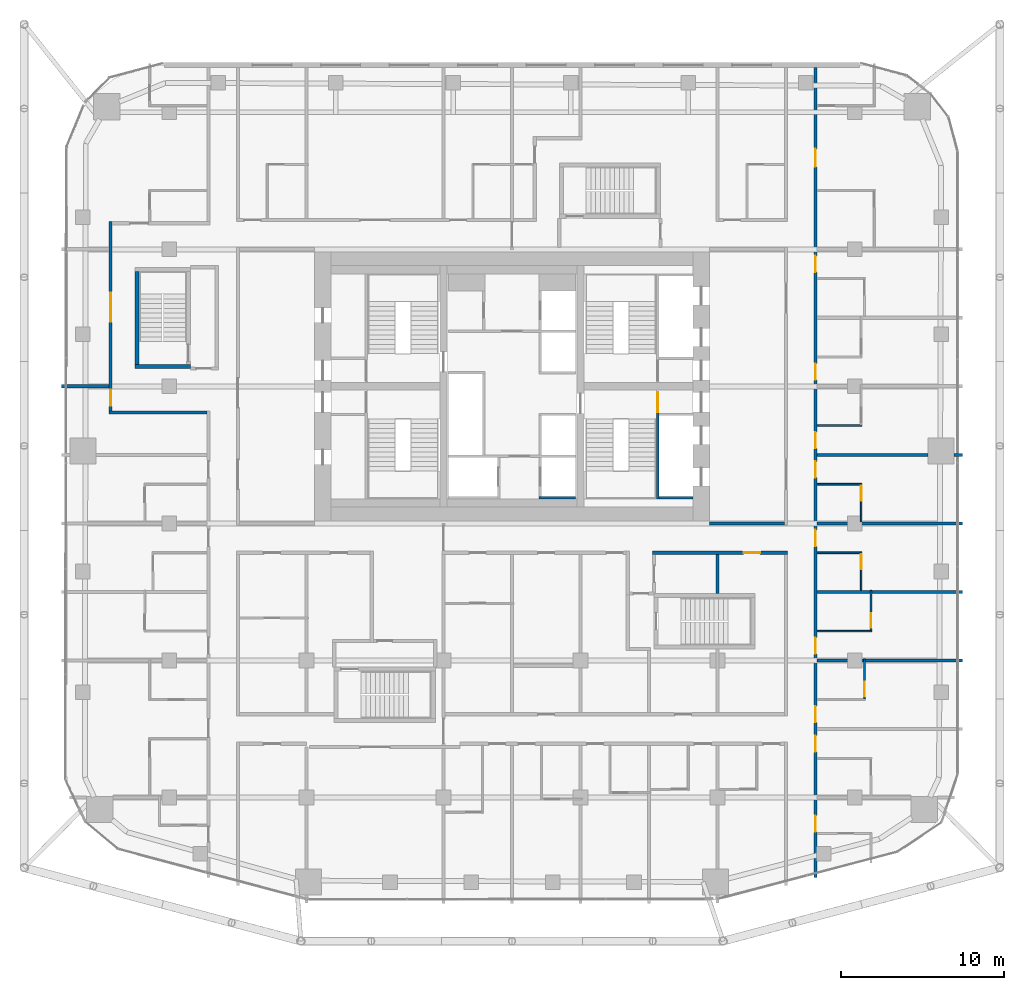
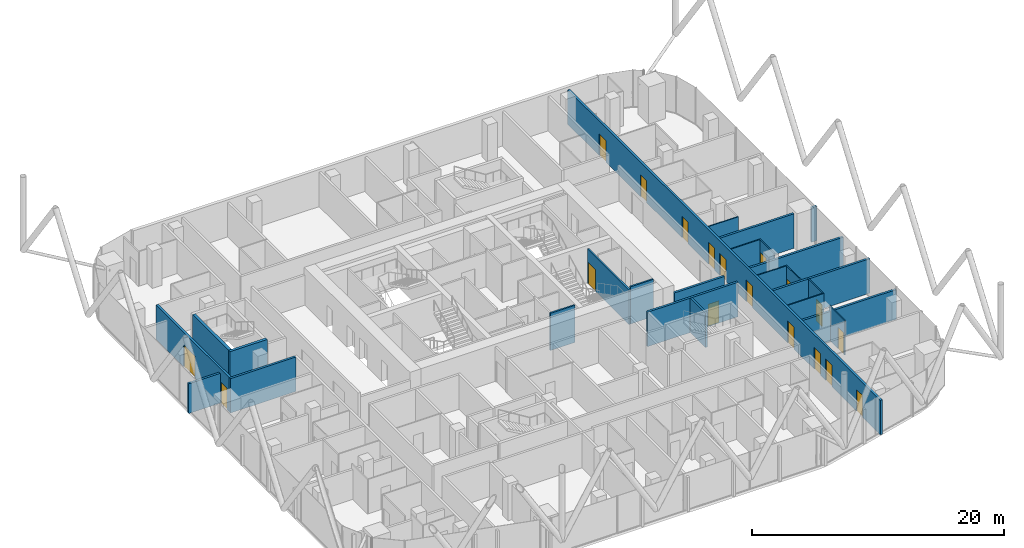
# One storey, part 27 of 33: 25 walls, 18 doors, 18 openings.
"""IFC4 building model written with IfcOpenShell, lengths in metres."""

import ifcopenshell
import ifcopenshell.guid

model = None  # the IFC model being written
_history = None  # IfcOwnerHistory: only IFC2X3 demands one
_inside = {}  # id of a spatial element -> (the spatial element, [elements in it])
_under = {}  # id of a project, library or spatial element -> (it, [spatial elements below it])
_declared = {}  # id of a project -> (the project, [libraries it declares])
_typed = {}  # id of a type object -> (the type object, [elements of that type])
_made_of = {}  # id of a material, layer set ... -> (it, [elements and type objects made of it])


def new_model(schema):
    """Start an empty IFC model of exactly this schema.

    Asked for "IFC4X3", IfcOpenShell would pick the latest addendum, in which some entities
    have other attributes; the version numbers below select the first issue.
    IFC2X3 requires an IfcOwnerHistory on every rooted entity: one is made here for all.
    """
    global model, _history
    if schema == "IFC4X3":
        model = ifcopenshell.file(schema_version=(4, 3, 0, 0))
    else:
        model = ifcopenshell.file(schema=schema)
    _inside.clear()
    _under.clear()
    _declared.clear()
    _typed.clear()
    _made_of.clear()
    _history = None
    if model.schema == "IFC2X3":
        org = make("IfcOrganization", Name="unknown")
        user = make(
            "IfcPersonAndOrganization",
            ThePerson=make("IfcPerson", FamilyName="unknown"),
            TheOrganization=org,
        )
        app = make(
            "IfcApplication",
            ApplicationDeveloper=org,
            Version="unknown",
            ApplicationFullName="unknown",
            ApplicationIdentifier="unknown",
        )
        _history = make(
            "IfcOwnerHistory",
            OwningUser=user,
            OwningApplication=app,
            ChangeAction="ADDED",
            CreationDate=0,
        )
    return model


def make(cls, **values):
    """One entity of the class cls with the attributes given. An attribute that is None is left unset."""
    return model.create_entity(
        cls, **{name: value for name, value in values.items() if value is not None}
    )


def rooted(cls, **values):
    """An entity with a GlobalId (a new one), such as an element, a storey or a relation."""
    return make(cls, GlobalId=ifcopenshell.guid.new(), OwnerHistory=_history, **values)


def si_unit(unit_type, name, prefix=None):
    """IfcSIUnit, for example si_unit("LENGTHUNIT", "METRE", prefix="MILLI")."""
    return make("IfcSIUnit", UnitType=unit_type, Prefix=prefix, Name=name)


def assignment(units):
    """IfcUnitAssignment: the units of a project."""
    return None if units is None else make("IfcUnitAssignment", Units=units)


def point(xyz):
    """IfcCartesianPoint."""
    return None if xyz is None else make("IfcCartesianPoint", Coordinates=xyz)


def direction(xyz):
    """IfcDirection."""
    return None if xyz is None else make("IfcDirection", DirectionRatios=xyz)


def frame(location, z_axis=None, x_axis=None):
    """IfcAxis2Placement3D, a coordinate frame: its origin and axes. An axis left out is left unset."""
    return make(
        "IfcAxis2Placement3D",
        Location=point(location),
        Axis=direction(z_axis),
        RefDirection=direction(x_axis),
    )


def frame_2d(location, x_axis=None):
    """IfcAxis2Placement2D, a coordinate frame in the plane: its origin and x axis."""
    return make(
        "IfcAxis2Placement2D", Location=point(location), RefDirection=direction(x_axis)
    )


def origin():
    """The frame at (0, 0, 0) with its axes left unset."""
    return frame((0.0, 0.0, 0.0))


def place(relative_to, where):
    """IfcLocalPlacement: puts the frame where relative to a parent placement (None: the world)."""
    return make(
        "IfcLocalPlacement", PlacementRelTo=relative_to, RelativePlacement=where
    )


def context(
    kind, dimensions, precision=None, world=None, true_north=None, identifier=None
):
    """IfcGeometricRepresentationContext, for example the 3D "Model" context."""
    return make(
        "IfcGeometricRepresentationContext",
        ContextIdentifier=identifier,
        ContextType=kind,
        CoordinateSpaceDimension=dimensions,
        Precision=precision,
        WorldCoordinateSystem=world,
        TrueNorth=true_north,
    )


def subcontext(parent, identifier, kind, view, scale=None):
    """IfcGeometricRepresentationSubContext, for example "Body" below "Model"."""
    return make(
        "IfcGeometricRepresentationSubContext",
        ContextIdentifier=identifier,
        ContextType=kind,
        ParentContext=parent,
        TargetScale=scale,
        TargetView=view,
    )


def project(units=None, contexts=None):
    """IfcProject with its units and contexts."""
    return rooted(
        "IfcProject",
        Name="project",
        RepresentationContexts=contexts,
        UnitsInContext=assignment(units),
    )


def spatial(cls, under=None, at=None, **own):
    """A site, building, storey or space (cls), placed at a placement, below another one or the project."""
    s = rooted(cls, ObjectPlacement=at, **own)
    if under is not None:
        _under.setdefault(under.id(), (under, []))[1].append(s)
    return s


def profile(cls, at=None, kind="AREA", **sizes):
    """A parametric profile (cls). Its sizes go by their IFC names, for example OverallWidth=200.0."""
    return make(cls, ProfileType=kind, Position=at, **sizes)


def rectangle(**sizes):
    """IfcRectangleProfileDef."""
    return profile("IfcRectangleProfileDef", **sizes)


def extrude(swept, where, along, depth):
    """IfcExtrudedAreaSolid: the profile swept, set in the frame where, extruded along a direction by depth."""
    return make(
        "IfcExtrudedAreaSolid",
        SweptArea=swept,
        Position=where,
        ExtrudedDirection=direction(along),
        Depth=depth,
    )


def shape(context_of_items, identifier, shape_type, items):
    """IfcShapeRepresentation: the items that make up one representation, for example the "Body"."""
    return make(
        "IfcShapeRepresentation",
        ContextOfItems=context_of_items,
        RepresentationIdentifier=identifier,
        RepresentationType=shape_type,
        Items=items,
    )


def material(Name=None, Category=None):
    """IfcMaterial."""
    return make("IfcMaterial", Name=Name, Category=Category)


def layer(
    of_material, thickness, ventilated=None, Name=None, Category=None, Priority=None
):
    """IfcMaterialLayer: one layer of a wall or slab, of a material (None: an air gap)."""
    return make(
        "IfcMaterialLayer",
        Material=of_material,
        LayerThickness=thickness,
        IsVentilated=ventilated,
        Name=Name,
        Category=Category,
        Priority=Priority,
    )


def layer_set(layers, Name=None):
    """IfcMaterialLayerSet."""
    return make("IfcMaterialLayerSet", MaterialLayers=layers, LayerSetName=Name)


def made_of(thing, what):
    """Note that an element or type object is made of a material, layer set ...; save() writes the relation."""
    if what is not None:
        _made_of.setdefault(what.id(), (what, []))[1].append(thing)
    return thing


def type_object(cls, material=None, **own):
    """A type object (cls), such as IfcWallType, which elements share."""
    return made_of(rooted(cls, **own), material)


def element(
    cls,
    number,
    at=None,
    inside=None,
    cuts=None,
    type_object=None,
    material=None,
    context=None,
    identifier="Body",
    shape_type=None,
    held_by="IfcProductDefinitionShape",
    body=None,
    shapes=None,
    **own,
):
    """One element of the class cls, such as IfcWall. Its Tag is "e" and its number.

    at: its placement. inside: the storey or other place that contains it. cuts: it is an
    opening in that element (IfcRelVoidsElement). A single representation is given by context,
    identifier, shape_type and body (its items); several are given by shapes. held_by: the class
    of the entity that holds the representations. save() writes the other relations.
    """
    e = rooted(cls, Tag="e%d" % number, ObjectPlacement=at, **own)
    if body is not None:
        shapes = [shape(context, identifier, shape_type, body)]
    if shapes is not None:
        e.Representation = make(held_by, Representations=shapes)
    if inside is not None:
        _inside.setdefault(inside.id(), (inside, []))[1].append(e)
    if cuts is not None:
        rooted(
            "IfcRelVoidsElement", RelatingBuildingElement=cuts, RelatedOpeningElement=e
        )
    if type_object is not None:
        _typed.setdefault(type_object.id(), (type_object, []))[1].append(e)
    return made_of(e, material)


def fill(opening, filler):
    """IfcRelFillsElement: the door or window that sits in an opening."""
    return rooted(
        "IfcRelFillsElement",
        RelatingOpeningElement=opening,
        RelatedBuildingElement=filler,
    )


def aggregate(whole, parts):
    """IfcRelAggregates: a whole, such as a stair, and the parts it consists of."""
    return rooted("IfcRelAggregates", RelatingObject=whole, RelatedObjects=parts)


def save(model, path):
    """Write the relations noted so far, then the file.

    IfcRelAggregates (storeys below a building ...), IfcRelContainedInSpatialStructure (elements
    in a storey), IfcRelDefinesByType, IfcRelAssociatesMaterial and IfcRelDeclares: one each for
    every whole, place, type object, material and project.
    """
    for whole, parts in _under.values():
        aggregate(whole, parts)
    for where, things in _inside.values():
        rooted(
            "IfcRelContainedInSpatialStructure",
            RelatedElements=things,
            RelatingStructure=where,
        )
    for kind, things in _typed.values():
        rooted("IfcRelDefinesByType", RelatedObjects=things, RelatingType=kind)
    for what, things in _made_of.values():
        rooted("IfcRelAssociatesMaterial", RelatedObjects=things, RelatingMaterial=what)
    for by, libraries in _declared.values():
        rooted("IfcRelDeclares", RelatingContext=by, RelatedDefinitions=libraries)
    model.write(path)


model = new_model("IFC4")

# Units and contexts
model_context = context("Model", 3, precision=1e-05, world=origin(), true_north=direction((0.0, 1.0)))
body_context = subcontext(model_context, "Body", "Model", "MODEL_VIEW")
ifc_project = project(units=[si_unit("LENGTHUNIT", "METRE"), si_unit("AREAUNIT", "SQUARE_METRE"), si_unit("VOLUMEUNIT", "CUBIC_METRE"), si_unit("PLANEANGLEUNIT", "RADIAN"), si_unit("MASSUNIT", "GRAM", prefix="KILO")], contexts=[model_context])

# Site, building, storey
site_placement = place(None, origin())
site = spatial("IfcSite", under=ifc_project, at=site_placement, CompositionType="ELEMENT")
building_placement = place(site_placement, origin())
building = spatial("IfcBuilding", under=site, at=building_placement, Name="Marenta Gate Hotel Tower", CompositionType="ELEMENT")
storey_placement = place(building_placement, frame((0.0, 0.0, 137.300048828125)))
storey = spatial("IfcBuildingStorey", under=building, at=storey_placement, Name="L31", CompositionType="ELEMENT", Elevation=137.300048828125)

# Walls
ifc_material_1 = material(Name="Concrete blockwork", Category="masonry")
ifc_layer_1 = layer(ifc_material_1, 0.199951171875)
ifc_layer_set_1 = layer_set([ifc_layer_1], Name="Concrete blockwork")
wall_type_1 = type_object("IfcWallType", Name="Core boundary wall 200 REI 180", PredefinedType="PARTITIONING", material=ifc_layer_set_1)
wall_1_placement = place(storey_placement, frame((12.10009765625, 0.0, 0.0), z_axis=(0.0, 0.0, 1.0), x_axis=(1.0, 0.0, 0.0)))
element("IfcWall", 1, at=wall_1_placement, inside=storey, type_object=wall_type_1, Name="L31-CP-EW-ES", PredefinedType="PARTITIONING", context=body_context, shape_type="SweptSolid", body=[
    extrude(rectangle(XDim=4.599853515625, YDim=0.199951171875, at=frame_2d((2.2998046875, 0.0))), origin(), (0.0, 0.0, 1.0), 2.889892578125),
])
ifc_material_2 = material(Name="Concrete C40", Category="concrete")
ifc_layer_2 = layer(ifc_material_2, 0.14990234375)
ifc_layer_set_2 = layer_set([ifc_layer_2], Name="Concrete C40")
wall_type_2 = type_object("IfcWallType", Name="Core shaft wall 150 REI 180", PredefinedType="SHEAR", material=ifc_layer_set_2)
wall_2_placement = place(storey_placement, frame((9.0, 1.574951171875, 0.0), z_axis=(0.0, 0.0, 1.0), x_axis=(1.0, 0.0, 0.0)))
element("IfcWall", 2, at=wall_2_placement, inside=storey, type_object=wall_type_2, Name="L31-SHF-SW-ES-5", PredefinedType="SHEAR", context=body_context, shape_type="SweptSolid", body=[
    extrude(rectangle(XDim=2.10009765625, YDim=0.14990234375, at=frame_2d((1.050048828125, 0.0))), origin(), (0.0, 0.0, 1.0), 3.599853515625),
])
wall_3_placement = place(storey_placement, frame((1.64990234375, 1.574951171875, 0.0), z_axis=(0.0, 0.0, 1.0), x_axis=(1.0, 0.0, 0.0)))
element("IfcWall", 3, at=wall_3_placement, inside=storey, type_object=wall_type_2, Name="L31-SHF-CE-S-bot", PredefinedType="SHEAR", context=body_context, shape_type="SweptSolid", body=[
    extrude(rectangle(XDim=2.25, YDim=0.14990234375, at=frame_2d((1.125, 0.0))), origin(), (0.0, 0.0, 1.0), 3.599853515625),
])

# Wall, opening, door
ifc_material_3 = material(Name="Concrete C40", Category="concrete")
ifc_layer_3 = layer(ifc_material_3, 0.14990234375)
ifc_layer_set_3 = layer_set([ifc_layer_3], Name="Concrete C40")
wall_type_3 = type_object("IfcWallType", Name="Core stair enclosure wall 150 REI 180", PredefinedType="SHEAR", material=ifc_layer_set_3)
wall_4_placement = place(storey_placement, frame((8.925048828125, 1.5, 0.0), z_axis=(0.0, 0.0, 1.0), x_axis=(0.0, 1.0, 0.0)))
wall_4 = element("IfcWall", 4, at=wall_4_placement, inside=storey, type_object=wall_type_3, Name="L31-SHF-SW-ES-3", PredefinedType="SHEAR", context=body_context, shape_type="SweptSolid", body=[
    extrude(rectangle(XDim=6.60009765625, YDim=0.14990234375, at=frame_2d((3.300048828125, 0.0))), origin(), (0.0, 0.0, 1.0), 3.33984375),
])
opening_1_placement = place(wall_4_placement, frame((5.324951171875, 0.0, 0.0)))
opening_1 = element("IfcOpeningElement", 5, at=opening_1_placement, cuts=wall_4, Name="Opening SD-ES", PredefinedType="OPENING", context=body_context, shape_type="SweptSolid", body=[
    extrude(rectangle(XDim=1.199951171875, YDim=2.10009765625, at=frame_2d((0.60009765625, 1.050048828125))), frame((0.0, 0.074951171875, 0.0), z_axis=(0.0, -1.0, 0.0), x_axis=(1.0, 0.0, 0.0)), (0.0, 0.0, 1.0), 0.14990234375),
])
ifc_material_4 = material(Name="Steel", Category="steel")
door_type_1 = type_object("IfcDoorType", Name="Core stair door 1200x2100 FD60", OperationType="SINGLE_SWING_LEFT", PredefinedType="DOOR", material=ifc_material_4)
door_1_placement = place(opening_1_placement, origin())
door_1 = element("IfcDoor", 6, at=door_1_placement, inside=storey, type_object=door_type_1, Name="SD-ES", OperationType="SINGLE_SWING_LEFT", OverallHeight=2.10009765625, OverallWidth=1.199951171875, PredefinedType="DOOR", context=body_context, shape_type="SweptSolid", body=[
    extrude(rectangle(XDim=1.199951171875, YDim=2.10009765625, at=frame_2d((0.60009765625, 1.050048828125))), frame((0.0, 0.02490234375, 0.0), z_axis=(0.0, -1.0, 0.0), x_axis=(1.0, 0.0, 0.0)), (0.0, 0.0, 1.0), 0.050048828125),
])
fill(opening_1, door_1)

# Walls
ifc_material_5 = material(Name="Concrete C40", Category="concrete")
ifc_layer_4 = layer(ifc_material_5, 0.25)
ifc_layer_set_4 = layer_set([ifc_layer_4], Name="Concrete C40")
wall_type_4 = type_object("IfcWallType", Name="Remote stair enclosure wall 250 REI 180", PredefinedType="SHEAR", material=ifc_layer_set_4)
wall_5_placement = place(storey_placement, frame((-23.10009765625, 9.625, 0.099853515625), z_axis=(0.0, 0.0, 1.0), x_axis=(1.0, 0.0, 0.0)))
element("IfcWall", 7, at=wall_5_placement, inside=storey, type_object=wall_type_4, Name="L31-RS-Z1-3-W1", PredefinedType="SHEAR", context=body_context, shape_type="SweptSolid", body=[
    extrude(rectangle(XDim=3.400146484375, YDim=0.25, at=frame_2d((1.7001953125, 0.0))), origin(), (0.0, 0.0, 1.0), 3.60009765625),
])
wall_6_placement = place(storey_placement, frame((-22.97509765625, 9.75, 0.099853515625), z_axis=(0.0, 0.0, 1.0), x_axis=(0.0, 1.0, 0.0)))
element("IfcWall", 8, at=wall_6_placement, inside=storey, type_object=wall_type_4, Name="L31-RS-Z1-3-W3", PredefinedType="SHEAR", context=body_context, shape_type="SweptSolid", body=[
    extrude(rectangle(XDim=5.699951171875, YDim=0.25, at=frame_2d((2.85009765625, 0.0))), origin(), (0.0, 0.0, 1.0), 3.60009765625),
])

# Wall, openings, doors
ifc_material_6 = material(Name="Gypsum board on steel stud", Category="steel")
ifc_layer_5 = layer(ifc_material_6, 0.199951171875)
ifc_layer_set_5 = layer_set([ifc_layer_5], Name="Gypsum board on steel stud")
wall_type_5 = type_object("IfcWallType", Name="Room corridor wall 200 EI 60", PredefinedType="PARTITIONING", material=ifc_layer_set_5)
wall_7_placement = place(storey_placement, frame((18.60009765625, -21.7080078125, 0.0), z_axis=(0.0, 0.0, 1.0), x_axis=(0.0, 1.0, 0.0)))
wall_7 = element("IfcWall", 9, at=wall_7_placement, inside=storey, type_object=wall_type_5, Name="L31-PTN-W013", PredefinedType="PARTITIONING", context=body_context, shape_type="SweptSolid", body=[
    extrude(rectangle(XDim=49.64794921875, YDim=0.199951171875, at=frame_2d((24.823974609375, 0.0))), origin(), (0.0, 0.0, 1.0), 3.33984375),
])
opening_2_placement = place(wall_7_placement, frame((2.800048828125, 0.0, 0.0)))
opening_2 = element("IfcOpeningElement", 10, at=opening_2_placement, cuts=wall_7, Name="Opening G12-08", PredefinedType="OPENING", context=body_context, shape_type="SweptSolid", body=[
    extrude(rectangle(XDim=1.0, YDim=2.10009765625, at=frame_2d((0.5, 1.050048828125))), frame((0.0, 0.10009765625, 0.0), z_axis=(0.0, -1.0, 0.0), x_axis=(1.0, 0.0, 0.0)), (0.0, 0.0, 1.0), 0.199951171875),
])
opening_3_placement = place(wall_7_placement, frame((7.7080078125, 0.0, 0.0)))
opening_3 = element("IfcOpeningElement", 11, at=opening_3_placement, cuts=wall_7, Name="Opening G12-10", PredefinedType="OPENING", context=body_context, shape_type="SweptSolid", body=[
    extrude(rectangle(XDim=1.0, YDim=2.10009765625, at=frame_2d((0.5, 1.050048828125))), frame((0.0, 0.10009765625, 0.0), z_axis=(0.0, -1.0, 0.0), x_axis=(1.0, 0.0, 0.0)), (0.0, 0.0, 1.0), 0.199951171875),
])
opening_4_placement = place(wall_7_placement, frame((9.508056640625, 0.0, 0.0)))
opening_4 = element("IfcOpeningElement", 12, at=opening_4_placement, cuts=wall_7, Name="Opening G12-12", PredefinedType="OPENING", context=body_context, shape_type="SweptSolid", body=[
    extrude(rectangle(XDim=1.0, YDim=2.10009765625, at=frame_2d((0.5, 1.050048828125))), frame((0.0, 0.10009765625, 0.0), z_axis=(0.0, -1.0, 0.0), x_axis=(1.0, 0.0, 0.0)), (0.0, 0.0, 1.0), 0.199951171875),
])
opening_5_placement = place(wall_7_placement, frame((13.7080078125, 0.0, 0.0)))
opening_5 = element("IfcOpeningElement", 13, at=opening_5_placement, cuts=wall_7, Name="Opening G12-14", PredefinedType="OPENING", context=body_context, shape_type="SweptSolid", body=[
    extrude(rectangle(XDim=1.0, YDim=2.10009765625, at=frame_2d((0.5, 1.050048828125))), frame((0.0, 0.10009765625, 0.0), z_axis=(0.0, -1.0, 0.0), x_axis=(1.0, 0.0, 0.0)), (0.0, 0.0, 1.0), 0.199951171875),
])
opening_6_placement = place(wall_7_placement, frame((20.30810546875, 0.0, 0.0)))
opening_6 = element("IfcOpeningElement", 14, at=opening_6_placement, cuts=wall_7, Name="Opening G12-16", PredefinedType="OPENING", context=body_context, shape_type="SweptSolid", body=[
    extrude(rectangle(XDim=1.0, YDim=2.10009765625, at=frame_2d((0.5, 1.050048828125))), frame((0.0, 0.10009765625, 0.0), z_axis=(0.0, -1.0, 0.0), x_axis=(1.0, 0.0, 0.0)), (0.0, 0.0, 1.0), 0.199951171875),
])
opening_7_placement = place(wall_7_placement, frame((24.508056640625, 0.0, 0.0)))
opening_7 = element("IfcOpeningElement", 15, at=opening_7_placement, cuts=wall_7, Name="Opening G12-18", PredefinedType="OPENING", context=body_context, shape_type="SweptSolid", body=[
    extrude(rectangle(XDim=1.0, YDim=2.10009765625, at=frame_2d((0.5, 1.050048828125))), frame((0.0, 0.10009765625, 0.0), z_axis=(0.0, -1.0, 0.0), x_axis=(1.0, 0.0, 0.0)), (0.0, 0.0, 1.0), 0.199951171875),
])
opening_8_placement = place(wall_7_placement, frame((26.30810546875, 0.0, 0.0)))
opening_8 = element("IfcOpeningElement", 16, at=opening_8_placement, cuts=wall_7, Name="Opening G12-20", PredefinedType="OPENING", context=body_context, shape_type="SweptSolid", body=[
    extrude(rectangle(XDim=1.0, YDim=2.10009765625, at=frame_2d((0.5, 1.050048828125))), frame((0.0, 0.10009765625, 0.0), z_axis=(0.0, -1.0, 0.0), x_axis=(1.0, 0.0, 0.0)), (0.0, 0.0, 1.0), 0.199951171875),
])
opening_9_placement = place(wall_7_placement, frame((30.508056640625, 0.0, 0.0)))
opening_9 = element("IfcOpeningElement", 17, at=opening_9_placement, cuts=wall_7, Name="Opening G12-22", PredefinedType="OPENING", context=body_context, shape_type="SweptSolid", body=[
    extrude(rectangle(XDim=1.0, YDim=2.10009765625, at=frame_2d((0.5, 1.050048828125))), frame((0.0, 0.10009765625, 0.0), z_axis=(0.0, -1.0, 0.0), x_axis=(1.0, 0.0, 0.0)), (0.0, 0.0, 1.0), 0.199951171875),
])
opening_10_placement = place(wall_7_placement, frame((37.10791015625, 0.0, 0.0)))
opening_10 = element("IfcOpeningElement", 18, at=opening_10_placement, cuts=wall_7, Name="Opening G12-24", PredefinedType="OPENING", context=body_context, shape_type="SweptSolid", body=[
    extrude(rectangle(XDim=1.0, YDim=2.10009765625, at=frame_2d((0.5, 1.050048828125))), frame((0.0, 0.10009765625, 0.0), z_axis=(0.0, -1.0, 0.0), x_axis=(1.0, 0.0, 0.0)), (0.0, 0.0, 1.0), 0.199951171875),
])
opening_11_placement = place(wall_7_placement, frame((43.55810546875, 0.0, 0.0)))
opening_11 = element("IfcOpeningElement", 19, at=opening_11_placement, cuts=wall_7, Name="Opening G12-26", PredefinedType="OPENING", context=body_context, shape_type="SweptSolid", body=[
    extrude(rectangle(XDim=1.10009765625, YDim=2.10009765625, at=frame_2d((0.550048828125, 1.050048828125))), frame((0.0, 0.10009765625, 0.0), z_axis=(0.0, -1.0, 0.0), x_axis=(1.0, 0.0, 0.0)), (0.0, 0.0, 1.0), 0.199951171875),
])
ifc_material_7 = material(Name="Timber door leaf", Category="wood")
door_type_2 = type_object("IfcDoorType", Name="Guest room door 1000x2100 EI 30", OperationType="NOTDEFINED", PredefinedType="DOOR", material=ifc_material_7)
door_2_placement = place(opening_2_placement, origin())
door_2 = element("IfcDoor", 20, at=door_2_placement, inside=storey, type_object=door_type_2, Name="L31-PD-D008", OperationType="SINGLE_SWING_RIGHT", OverallHeight=2.10009765625, OverallWidth=1.0, PredefinedType="DOOR", context=body_context, shape_type="SweptSolid", body=[
    extrude(rectangle(XDim=1.0, YDim=2.10009765625, at=frame_2d((0.5, 1.050048828125))), frame((0.0, 0.02490234375, 0.0), z_axis=(0.0, -1.0, 0.0), x_axis=(1.0, 0.0, 0.0)), (0.0, 0.0, 1.0), 0.050048828125),
])
fill(opening_2, door_2)
door_3_placement = place(opening_3_placement, origin())
door_3 = element("IfcDoor", 21, at=door_3_placement, inside=storey, type_object=door_type_2, Name="L31-PD-D010", OperationType="SINGLE_SWING_RIGHT", OverallHeight=2.10009765625, OverallWidth=1.0, PredefinedType="DOOR", context=body_context, shape_type="SweptSolid", body=[
    extrude(rectangle(XDim=1.0, YDim=2.10009765625, at=frame_2d((0.5, 1.050048828125))), frame((0.0, 0.02490234375, 0.0), z_axis=(0.0, -1.0, 0.0), x_axis=(1.0, 0.0, 0.0)), (0.0, 0.0, 1.0), 0.050048828125),
])
fill(opening_3, door_3)
door_4_placement = place(opening_4_placement, origin())
door_4 = element("IfcDoor", 22, at=door_4_placement, inside=storey, type_object=door_type_2, Name="L31-PD-D012", OperationType="SINGLE_SWING_RIGHT", OverallHeight=2.10009765625, OverallWidth=1.0, PredefinedType="DOOR", context=body_context, shape_type="SweptSolid", body=[
    extrude(rectangle(XDim=1.0, YDim=2.10009765625, at=frame_2d((0.5, 1.050048828125))), frame((0.0, 0.02490234375, 0.0), z_axis=(0.0, -1.0, 0.0), x_axis=(1.0, 0.0, 0.0)), (0.0, 0.0, 1.0), 0.050048828125),
])
fill(opening_4, door_4)
door_5_placement = place(opening_5_placement, origin())
door_5 = element("IfcDoor", 23, at=door_5_placement, inside=storey, type_object=door_type_2, Name="L31-PD-D014", OperationType="SINGLE_SWING_RIGHT", OverallHeight=2.10009765625, OverallWidth=1.0, PredefinedType="DOOR", context=body_context, shape_type="SweptSolid", body=[
    extrude(rectangle(XDim=1.0, YDim=2.10009765625, at=frame_2d((0.5, 1.050048828125))), frame((0.0, 0.02490234375, 0.0), z_axis=(0.0, -1.0, 0.0), x_axis=(1.0, 0.0, 0.0)), (0.0, 0.0, 1.0), 0.050048828125),
])
fill(opening_5, door_5)
door_6_placement = place(opening_6_placement, origin())
door_6 = element("IfcDoor", 24, at=door_6_placement, inside=storey, type_object=door_type_2, Name="L31-PD-D016", OperationType="SINGLE_SWING_RIGHT", OverallHeight=2.10009765625, OverallWidth=1.0, PredefinedType="DOOR", context=body_context, shape_type="SweptSolid", body=[
    extrude(rectangle(XDim=1.0, YDim=2.10009765625, at=frame_2d((0.5, 1.050048828125))), frame((0.0, 0.02490234375, 0.0), z_axis=(0.0, -1.0, 0.0), x_axis=(1.0, 0.0, 0.0)), (0.0, 0.0, 1.0), 0.050048828125),
])
fill(opening_6, door_6)
door_7_placement = place(opening_7_placement, origin())
door_7 = element("IfcDoor", 25, at=door_7_placement, inside=storey, type_object=door_type_2, Name="L31-PD-D018", OperationType="SINGLE_SWING_RIGHT", OverallHeight=2.10009765625, OverallWidth=1.0, PredefinedType="DOOR", context=body_context, shape_type="SweptSolid", body=[
    extrude(rectangle(XDim=1.0, YDim=2.10009765625, at=frame_2d((0.5, 1.050048828125))), frame((0.0, 0.02490234375, 0.0), z_axis=(0.0, -1.0, 0.0), x_axis=(1.0, 0.0, 0.0)), (0.0, 0.0, 1.0), 0.050048828125),
])
fill(opening_7, door_7)
door_8_placement = place(opening_8_placement, origin())
door_8 = element("IfcDoor", 26, at=door_8_placement, inside=storey, type_object=door_type_2, Name="L31-PD-D020", OperationType="SINGLE_SWING_RIGHT", OverallHeight=2.10009765625, OverallWidth=1.0, PredefinedType="DOOR", context=body_context, shape_type="SweptSolid", body=[
    extrude(rectangle(XDim=1.0, YDim=2.10009765625, at=frame_2d((0.5, 1.050048828125))), frame((0.0, 0.02490234375, 0.0), z_axis=(0.0, -1.0, 0.0), x_axis=(1.0, 0.0, 0.0)), (0.0, 0.0, 1.0), 0.050048828125),
])
fill(opening_8, door_8)
door_9_placement = place(opening_9_placement, origin())
door_9 = element("IfcDoor", 27, at=door_9_placement, inside=storey, type_object=door_type_2, Name="L31-PD-D022", OperationType="SINGLE_SWING_RIGHT", OverallHeight=2.10009765625, OverallWidth=1.0, PredefinedType="DOOR", context=body_context, shape_type="SweptSolid", body=[
    extrude(rectangle(XDim=1.0, YDim=2.10009765625, at=frame_2d((0.5, 1.050048828125))), frame((0.0, 0.02490234375, 0.0), z_axis=(0.0, -1.0, 0.0), x_axis=(1.0, 0.0, 0.0)), (0.0, 0.0, 1.0), 0.050048828125),
])
fill(opening_9, door_9)
door_10_placement = place(opening_10_placement, origin())
door_10 = element("IfcDoor", 28, at=door_10_placement, inside=storey, type_object=door_type_2, Name="L31-PD-D024", OperationType="SINGLE_SWING_RIGHT", OverallHeight=2.10009765625, OverallWidth=1.0, PredefinedType="DOOR", context=body_context, shape_type="SweptSolid", body=[
    extrude(rectangle(XDim=1.0, YDim=2.10009765625, at=frame_2d((0.5, 1.050048828125))), frame((0.0, 0.02490234375, 0.0), z_axis=(0.0, -1.0, 0.0), x_axis=(1.0, 0.0, 0.0)), (0.0, 0.0, 1.0), 0.050048828125),
])
fill(opening_10, door_10)
ifc_material_8 = material(Name="Timber door leaf", Category="wood")
door_type_3 = type_object("IfcDoorType", Name="Guest room door 1100x2100 EI 30", OperationType="NOTDEFINED", PredefinedType="DOOR", material=ifc_material_8)
door_11_placement = place(opening_11_placement, origin())
door_11 = element("IfcDoor", 29, at=door_11_placement, inside=storey, type_object=door_type_3, Name="L31-PD-D026", OperationType="SINGLE_SWING_RIGHT", OverallHeight=2.10009765625, OverallWidth=1.10009765625, PredefinedType="DOOR", context=body_context, shape_type="SweptSolid", body=[
    extrude(rectangle(XDim=1.10009765625, YDim=2.10009765625, at=frame_2d((0.550048828125, 1.050048828125))), frame((0.0, 0.02490234375, 0.0), z_axis=(0.0, -1.0, 0.0), x_axis=(1.0, 0.0, 0.0)), (0.0, 0.0, 1.0), 0.050048828125),
])
fill(opening_11, door_11)

# Wall, opening, door
wall_8_placement = place(storey_placement, frame((8.60009765625, -1.800048828125, 0.0), z_axis=(0.0, 0.0, 1.0), x_axis=(1.0, 0.0, 0.0)))
wall_8 = element("IfcWall", 30, at=wall_8_placement, inside=storey, type_object=wall_type_5, Name="L31-PTN-W071", PredefinedType="PARTITIONING", context=body_context, shape_type="SweptSolid", body=[
    extrude(rectangle(XDim=8.2998046875, YDim=0.199951171875, at=frame_2d((4.14990234375, 0.0))), origin(), (0.0, 0.0, 1.0), 3.33984375),
])
opening_12_placement = place(wall_8_placement, frame((5.60009765625, 0.0, 0.0)))
opening_12 = element("IfcOpeningElement", 31, at=opening_12_placement, cuts=wall_8, Name="Opening G12-07", PredefinedType="OPENING", context=body_context, shape_type="SweptSolid", body=[
    extrude(rectangle(XDim=1.0, YDim=2.10009765625, at=frame_2d((0.5, 1.050048828125))), frame((0.0, 0.10009765625, 0.0), z_axis=(0.0, -1.0, 0.0), x_axis=(1.0, 0.0, 0.0)), (0.0, 0.0, 1.0), 0.199951171875),
])
ifc_material_9 = material(Name="Timber door leaf", Category="wood")
door_type_4 = type_object("IfcDoorType", Name="Room amenity door 1000x2100 EI 30", OperationType="NOTDEFINED", PredefinedType="DOOR", material=ifc_material_9)
door_12_placement = place(opening_12_placement, origin())
door_12 = element("IfcDoor", 32, at=door_12_placement, inside=storey, type_object=door_type_4, Name="L31-PD-D007", OperationType="SINGLE_SWING_LEFT", OverallHeight=2.10009765625, OverallWidth=1.0, PredefinedType="DOOR", context=body_context, shape_type="SweptSolid", body=[
    extrude(rectangle(XDim=1.0, YDim=2.10009765625, at=frame_2d((0.5, 1.050048828125))), frame((0.0, 0.02490234375, 0.0), z_axis=(0.0, -1.0, 0.0), x_axis=(1.0, 0.0, 0.0)), (0.0, 0.0, 1.0), 0.050048828125),
])
fill(opening_12, door_12)

# Wall
wall_9_placement = place(storey_placement, frame((-24.699951171875, 6.800048828125, 0.0), z_axis=(0.0, 0.0, 1.0), x_axis=(1.0, 0.0, 0.0)))
element("IfcWall", 33, at=wall_9_placement, inside=storey, type_object=wall_type_5, Name="L31-PTN-W089", PredefinedType="PARTITIONING", context=body_context, shape_type="SweptSolid", body=[
    extrude(rectangle(XDim=6.0, YDim=0.199951171875, at=frame_2d((3.0, 0.0))), origin(), (0.0, 0.0, 1.0), 3.33984375),
])

# Wall, openings, doors
wall_10_placement = place(storey_placement, frame((-24.60009765625, 6.89990234375, 0.0), z_axis=(0.0, 0.0, 1.0), x_axis=(0.0, 1.0, 0.0)))
wall_10 = element("IfcWall", 34, at=wall_10_placement, inside=storey, type_object=wall_type_5, Name="L31-PTN-W128", PredefinedType="PARTITIONING", context=body_context, shape_type="SweptSolid", body=[
    extrude(rectangle(XDim=11.60009765625, YDim=0.199951171875, at=frame_2d((5.800048828125, 0.0))), origin(), (0.0, 0.0, 1.0), 3.33984375),
])
opening_13_placement = place(wall_10_placement, frame((5.449951171875, 0.0, 0.0)))
opening_13 = element("IfcOpeningElement", 35, at=opening_13_placement, cuts=wall_10, Name="Opening G12-61", PredefinedType="OPENING", context=body_context, shape_type="SweptSolid", body=[
    extrude(rectangle(XDim=1.800048828125, YDim=2.10009765625, at=frame_2d((0.89990234375, 1.050048828125))), frame((0.0, 0.10009765625, 0.0), z_axis=(0.0, -1.0, 0.0), x_axis=(1.0, 0.0, 0.0)), (0.0, 0.0, 1.0), 0.199951171875),
])
opening_14_placement = place(wall_10_placement, frame((0.300048828125, 0.0, 0.0)))
opening_14 = element("IfcOpeningElement", 36, at=opening_14_placement, cuts=wall_10, Name="Opening G12-69", PredefinedType="OPENING", context=body_context, shape_type="SweptSolid", body=[
    extrude(rectangle(XDim=1.0, YDim=2.10009765625, at=frame_2d((0.5, 1.050048828125))), frame((0.0, 0.10009765625, 0.0), z_axis=(0.0, -1.0, 0.0), x_axis=(1.0, 0.0, 0.0)), (0.0, 0.0, 1.0), 0.199951171875),
])
door_13_placement = place(opening_14_placement, origin())
door_13 = element("IfcDoor", 37, at=door_13_placement, inside=storey, type_object=door_type_4, Name="L31-PD-D069", OperationType="SINGLE_SWING_LEFT", OverallHeight=2.10009765625, OverallWidth=1.0, PredefinedType="DOOR", context=body_context, shape_type="SweptSolid", body=[
    extrude(rectangle(XDim=1.0, YDim=2.10009765625, at=frame_2d((0.5, 1.050048828125))), frame((0.0, 0.02490234375, 0.0), z_axis=(0.0, -1.0, 0.0), x_axis=(1.0, 0.0, 0.0)), (0.0, 0.0, 1.0), 0.050048828125),
])
fill(opening_14, door_13)
ifc_material_10 = material(Name="Timber door leaf", Category="wood")
door_type_5 = type_object("IfcDoorType", Name="Room amenity door 1800x2100 EI 30", OperationType="DOUBLE_DOOR_SINGLE_SWING", PredefinedType="DOOR", material=ifc_material_10)
door_14_placement = place(opening_13_placement, origin())
door_14 = element("IfcDoor", 38, at=door_14_placement, inside=storey, type_object=door_type_5, Name="L31-PD-D061", OperationType="DOUBLE_DOOR_SINGLE_SWING", OverallHeight=2.10009765625, OverallWidth=1.800048828125, PredefinedType="DOOR", context=body_context, shape_type="SweptSolid", body=[
    extrude(rectangle(XDim=1.800048828125, YDim=2.10009765625, at=frame_2d((0.89990234375, 1.050048828125))), frame((0.0, 0.02490234375, 0.0), z_axis=(0.0, -1.0, 0.0), x_axis=(1.0, 0.0, 0.0)), (0.0, 0.0, 1.0), 0.050048828125),
])
fill(opening_13, door_14)

# Wall, opening, door
ifc_material_11 = material(Name="Gypsum board on steel stud", Category="steel")
ifc_layer_6 = layer(ifc_material_11, 0.10009765625)
ifc_layer_set_6 = layer_set([ifc_layer_6], Name="Gypsum board on steel stud")
wall_type_6 = type_object("IfcWallType", Name="Room partition 100", PredefinedType="PARTITIONING", material=ifc_layer_set_6)
wall_11_placement = place(storey_placement, frame((22.0, -6.550048828125, 0.0), z_axis=(0.0, 0.0, 1.0), x_axis=(0.0, 1.0, 0.0)))
wall_11 = element("IfcWall", 39, at=wall_11_placement, inside=storey, type_object=wall_type_6, Name="L31-PTN-W005", PredefinedType="PARTITIONING", context=body_context, shape_type="SweptSolid", body=[
    extrude(rectangle(XDim=2.449951171875, YDim=0.10009765625, at=frame_2d((1.22509765625, 0.0))), origin(), (0.0, 0.0, 1.0), 3.33984375),
])
opening_15_placement = place(wall_11_placement, frame((0.14990234375, 0.0, 0.0)))
opening_15 = element("IfcOpeningElement", 40, at=opening_15_placement, cuts=wall_11, Name="Opening G12-15", PredefinedType="OPENING", context=body_context, shape_type="SweptSolid", body=[
    extrude(rectangle(XDim=0.89990234375, YDim=2.10009765625, at=frame_2d((0.449951171875, 1.050048828125))), frame((0.0, 0.050048828125, 0.0), z_axis=(0.0, -1.0, 0.0), x_axis=(1.0, 0.0, 0.0)), (0.0, 0.0, 1.0), 0.10009765625),
])
ifc_material_12 = material(Name="Timber door leaf", Category="wood")
door_type_6 = type_object("IfcDoorType", Name="Guest bathroom door 900x2100", OperationType="NOTDEFINED", PredefinedType="DOOR", material=ifc_material_12)
door_15_placement = place(opening_15_placement, origin())
door_15 = element("IfcDoor", 41, at=door_15_placement, inside=storey, type_object=door_type_6, Name="L31-PD-D015", OperationType="SINGLE_SWING_LEFT", OverallHeight=2.10009765625, OverallWidth=0.89990234375, PredefinedType="DOOR", context=body_context, shape_type="SweptSolid", body=[
    extrude(rectangle(XDim=0.89990234375, YDim=2.10009765625, at=frame_2d((0.449951171875, 1.050048828125))), frame((0.0, 0.02490234375, 0.0), z_axis=(0.0, -1.0, 0.0), x_axis=(1.0, 0.0, 0.0)), (0.0, 0.0, 1.0), 0.050048828125),
])
fill(opening_15, door_15)

wall_12_placement = place(storey_placement, frame((21.60009765625, -10.75, 0.0), z_axis=(0.0, 0.0, 1.0), x_axis=(0.0, 1.0, 0.0)))
wall_12 = element("IfcWall", 42, at=wall_12_placement, inside=storey, type_object=wall_type_6, Name="L31-PTN-W006", PredefinedType="PARTITIONING", context=body_context, shape_type="SweptSolid", body=[
    extrude(rectangle(XDim=2.449951171875, YDim=0.10009765625, at=frame_2d((1.22509765625, 0.0))), origin(), (0.0, 0.0, 1.0), 3.33984375),
])
opening_16_placement = place(wall_12_placement, frame((0.14990234375, 0.0, 0.0)))
opening_16 = element("IfcOpeningElement", 43, at=opening_16_placement, cuts=wall_12, Name="Opening G12-13", PredefinedType="OPENING", context=body_context, shape_type="SweptSolid", body=[
    extrude(rectangle(XDim=0.89990234375, YDim=2.10009765625, at=frame_2d((0.449951171875, 1.050048828125))), frame((0.0, 0.050048828125, 0.0), z_axis=(0.0, -1.0, 0.0), x_axis=(1.0, 0.0, 0.0)), (0.0, 0.0, 1.0), 0.10009765625),
])
door_16_placement = place(opening_16_placement, origin())
door_16 = element("IfcDoor", 44, at=door_16_placement, inside=storey, type_object=door_type_6, Name="L31-PD-D013", OperationType="SINGLE_SWING_LEFT", OverallHeight=2.10009765625, OverallWidth=0.89990234375, PredefinedType="DOOR", context=body_context, shape_type="SweptSolid", body=[
    extrude(rectangle(XDim=0.89990234375, YDim=2.10009765625, at=frame_2d((0.449951171875, 1.050048828125))), frame((0.0, 0.02490234375, 0.0), z_axis=(0.0, -1.0, 0.0), x_axis=(1.0, 0.0, 0.0)), (0.0, 0.0, 1.0), 0.050048828125),
])
fill(opening_16, door_16)

wall_13_placement = place(storey_placement, frame((21.39990234375, -4.10009765625, 0.0), z_axis=(0.0, 0.0, 1.0), x_axis=(0.0, 1.0, 0.0)))
wall_13 = element("IfcWall", 45, at=wall_13_placement, inside=storey, type_object=wall_type_6, Name="L31-PTN-W008", PredefinedType="PARTITIONING", context=body_context, shape_type="SweptSolid", body=[
    extrude(rectangle(XDim=2.35009765625, YDim=0.10009765625, at=frame_2d((1.175048828125, 0.0))), origin(), (0.0, 0.0, 1.0), 3.33984375),
])
opening_17_placement = place(wall_13_placement, frame((1.300048828125, 0.0, 0.0)))
opening_17 = element("IfcOpeningElement", 46, at=opening_17_placement, cuts=wall_13, Name="Opening G12-17", PredefinedType="OPENING", context=body_context, shape_type="SweptSolid", body=[
    extrude(rectangle(XDim=0.89990234375, YDim=2.10009765625, at=frame_2d((0.449951171875, 1.050048828125))), frame((0.0, 0.050048828125, 0.0), z_axis=(0.0, -1.0, 0.0), x_axis=(1.0, 0.0, 0.0)), (0.0, 0.0, 1.0), 0.10009765625),
])
door_17_placement = place(opening_17_placement, origin())
door_17 = element("IfcDoor", 47, at=door_17_placement, inside=storey, type_object=door_type_6, Name="L31-PD-D017", OperationType="SINGLE_SWING_RIGHT", OverallHeight=2.10009765625, OverallWidth=0.89990234375, PredefinedType="DOOR", context=body_context, shape_type="SweptSolid", body=[
    extrude(rectangle(XDim=0.89990234375, YDim=2.10009765625, at=frame_2d((0.449951171875, 1.050048828125))), frame((0.0, 0.02490234375, 0.0), z_axis=(0.0, -1.0, 0.0), x_axis=(1.0, 0.0, 0.0)), (0.0, 0.0, 1.0), 0.050048828125),
])
fill(opening_17, door_17)

wall_14_placement = place(storey_placement, frame((21.39990234375, 0.10009765625, 0.0), z_axis=(0.0, 0.0, 1.0), x_axis=(0.0, 1.0, 0.0)))
wall_14 = element("IfcWall", 48, at=wall_14_placement, inside=storey, type_object=wall_type_6, Name="L31-PTN-W009", PredefinedType="PARTITIONING", context=body_context, shape_type="SweptSolid", body=[
    extrude(rectangle(XDim=2.349853515625, YDim=0.10009765625, at=frame_2d((1.1748046875, 0.0))), origin(), (0.0, 0.0, 1.0), 3.33984375),
])
opening_18_placement = place(wall_14_placement, frame((1.300048828125, 0.0, 0.0)))
opening_18 = element("IfcOpeningElement", 49, at=opening_18_placement, cuts=wall_14, Name="Opening G12-19", PredefinedType="OPENING", context=body_context, shape_type="SweptSolid", body=[
    extrude(rectangle(XDim=0.89990234375, YDim=2.10009765625, at=frame_2d((0.449951171875, 1.050048828125))), frame((0.0, 0.050048828125, 0.0), z_axis=(0.0, -1.0, 0.0), x_axis=(1.0, 0.0, 0.0)), (0.0, 0.0, 1.0), 0.10009765625),
])
door_18_placement = place(opening_18_placement, origin())
door_18 = element("IfcDoor", 50, at=door_18_placement, inside=storey, type_object=door_type_6, Name="L31-PD-D019", OperationType="SINGLE_SWING_RIGHT", OverallHeight=2.10009765625, OverallWidth=0.89990234375, PredefinedType="DOOR", context=body_context, shape_type="SweptSolid", body=[
    extrude(rectangle(XDim=0.89990234375, YDim=2.10009765625, at=frame_2d((0.449951171875, 1.050048828125))), frame((0.0, 0.02490234375, 0.0), z_axis=(0.0, -1.0, 0.0), x_axis=(1.0, 0.0, 0.0)), (0.0, 0.0, 1.0), 0.050048828125),
])
fill(opening_18, door_18)

# Walls
wall_15_placement = place(storey_placement, frame((18.699951171875, -6.60009765625, 0.0), z_axis=(0.0, 0.0, 1.0), x_axis=(1.0, 0.0, 0.0)))
element("IfcWall", 51, at=wall_15_placement, inside=storey, type_object=wall_type_6, Name="L31-PTN-W055", PredefinedType="PARTITIONING", context=body_context, shape_type="SweptSolid", body=[
    extrude(rectangle(XDim=3.35009765625, YDim=0.10009765625, at=frame_2d((1.675048828125, 0.0))), origin(), (0.0, 0.0, 1.0), 3.33984375),
])
for number, where, z_axis, x_axis, name in (
    (52, (18.699951171875, -1.800048828125, 0.0), (0.0, 0.0, 1.0), (1.0, 0.0, 0.0), "L31-PTN-W068"),
    (53, (18.699951171875, 2.39990234375, 0.0), (0.0, 0.0, 1.0), (1.0, 0.0, 0.0), "L31-PTN-W081"),
):
    element("IfcWall", number, at=place(storey_placement, frame(where, z_axis=z_axis, x_axis=x_axis)), inside=storey, type_object=wall_type_6, Name=name, PredefinedType="PARTITIONING", context=body_context, shape_type="SweptSolid", body=[
        extrude(rectangle(XDim=2.650146484375, YDim=0.10009765625, at=frame_2d((1.3251953125, 0.0))), origin(), (0.0, 0.0, 1.0), 3.33984375),
    ])
wall_16_placement = place(storey_placement, frame((18.699951171875, 6.0, 0.0), z_axis=(0.0, 0.0, 1.0), x_axis=(1.0, 0.0, 0.0)))
element("IfcWall", 54, at=wall_16_placement, inside=storey, type_object=wall_type_6, Name="L31-PTN-W088", PredefinedType="PARTITIONING", context=body_context, shape_type="SweptSolid", body=[
    extrude(rectangle(XDim=2.75, YDim=0.10009765625, at=frame_2d((1.375, 0.0))), origin(), (0.0, 0.0, 1.0), 3.33984375),
])
ifc_material_13 = material(Name="Gypsum board on steel stud", Category="steel")
ifc_layer_7 = layer(ifc_material_13, 0.199951171875)
ifc_layer_set_7 = layer_set([ifc_layer_7], Name="Gypsum board on steel stud")
wall_type_7 = type_object("IfcWallType", Name="Room party wall 200 EI 60", PredefinedType="PARTITIONING", material=ifc_layer_set_7)
wall_17_placement = place(storey_placement, frame((12.60009765625, -4.300048828125, 0.0), z_axis=(0.0, 0.0, 1.0), x_axis=(0.0, 1.0, 0.0)))
element("IfcWall", 55, at=wall_17_placement, inside=storey, type_object=wall_type_7, Name="L31-PTN-W034", PredefinedType="PARTITIONING", context=body_context, shape_type="SweptSolid", body=[
    extrude(rectangle(XDim=2.400146484375, YDim=0.199951171875, at=frame_2d((1.2001953125, 0.0))), origin(), (0.0, 0.0, 1.0), 3.33984375),
])
wall_18_placement = place(storey_placement, frame((18.699951171875, -8.39990234375, 0.0), z_axis=(0.0, 0.0, 1.0), x_axis=(1.0, 0.0, 0.0)))
element("IfcWall", 56, at=wall_18_placement, inside=storey, type_object=wall_type_7, Name="L31-PTN-W048", PredefinedType="PARTITIONING", context=body_context, shape_type="SweptSolid", body=[
    extrude(rectangle(XDim=8.900146484375, YDim=0.199951171875, at=frame_2d((4.4501953125, 0.0))), origin(), (0.0, 0.0, 1.0), 2.889892578125),
])
wall_19_placement = place(storey_placement, frame((18.699951171875, -4.199951171875, 0.0), z_axis=(0.0, 0.0, 1.0), x_axis=(1.0, 0.0, 0.0)))
element("IfcWall", 57, at=wall_19_placement, inside=storey, type_object=wall_type_7, Name="L31-PTN-W064", PredefinedType="PARTITIONING", context=body_context, shape_type="SweptSolid", body=[
    extrude(rectangle(XDim=8.900146484375, YDim=0.199951171875, at=frame_2d((4.4501953125, 0.0))), origin(), (0.0, 0.0, 1.0), 3.33984375),
])
wall_20_placement = place(storey_placement, frame((18.699951171875, 0.0, 0.0), z_axis=(0.0, 0.0, 1.0), x_axis=(1.0, 0.0, 0.0)))
element("IfcWall", 58, at=wall_20_placement, inside=storey, type_object=wall_type_7, Name="L31-PTN-W077", PredefinedType="PARTITIONING", context=body_context, shape_type="SweptSolid", body=[
    extrude(rectangle(XDim=8.900146484375, YDim=0.199951171875, at=frame_2d((4.4501953125, 0.0))), origin(), (0.0, 0.0, 1.0), 2.889892578125),
])
wall_21_placement = place(storey_placement, frame((18.699951171875, 4.199951171875, 0.0), z_axis=(0.0, 0.0, 1.0), x_axis=(1.0, 0.0, 0.0)))
element("IfcWall", 59, at=wall_21_placement, inside=storey, type_object=wall_type_7, Name="L31-PTN-W086", PredefinedType="PARTITIONING", context=body_context, shape_type="SweptSolid", body=[
    extrude(rectangle(XDim=6.800048828125, YDim=0.199951171875, at=frame_2d((3.39990234375, 0.0))), origin(), (0.0, 0.0, 1.0), 3.33984375),
])
wall_22_placement = place(storey_placement, frame((27.10009765625, 4.199951171875, 0.0), z_axis=(0.0, 0.0, 1.0), x_axis=(1.0, 0.0, 0.0)))
element("IfcWall", 60, at=wall_22_placement, inside=storey, type_object=wall_type_7, Name="L31-PTN-W135", PredefinedType="PARTITIONING", context=body_context, shape_type="SweptSolid", body=[
    extrude(rectangle(XDim=0.5, YDim=0.199951171875, at=frame_2d((0.25, 0.0))), origin(), (0.0, 0.0, 1.0), 3.33984375),
])
wall_23_placement = place(storey_placement, frame((-27.60009765625, 8.39990234375, 0.0), z_axis=(0.0, 0.0, 1.0), x_axis=(1.0, 0.0, 0.0)))
element("IfcWall", 61, at=wall_23_placement, inside=storey, type_object=wall_type_7, Name="L31-PTN-W090", PredefinedType="PARTITIONING", context=body_context, shape_type="SweptSolid", body=[
    extrude(rectangle(XDim=2.900146484375, YDim=0.199951171875, at=frame_2d((1.4501953125, 0.0))), origin(), (0.0, 0.0, 1.0), 2.889892578125),
])

save(model, "model.ifc")
